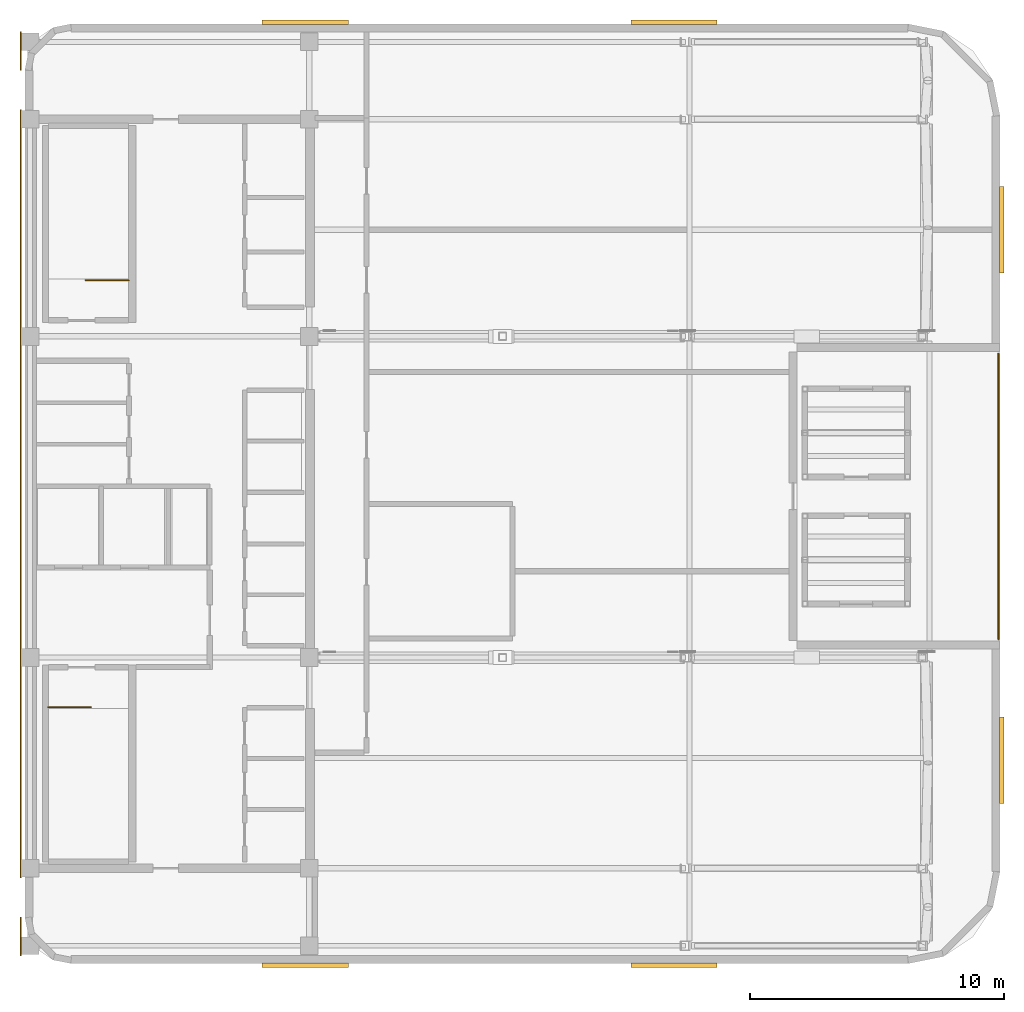
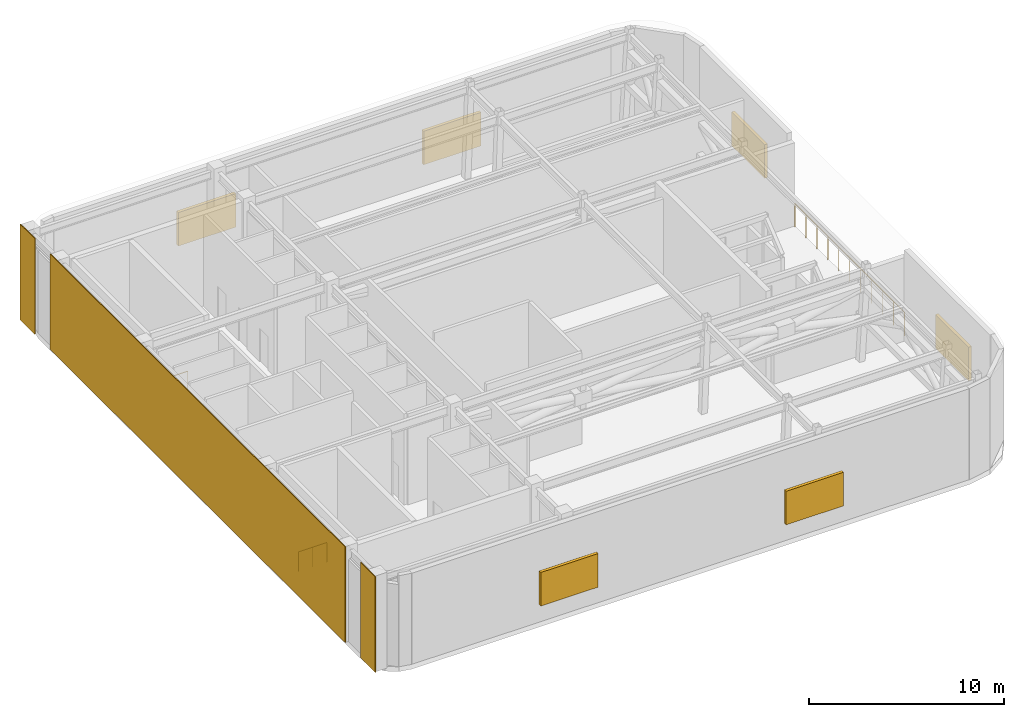
# One storey, part 12 of 12: 6 shading devices, 3 coverings, 3 railings.
"""IFC4 building model written with IfcOpenShell, lengths in metres."""

from ifc_helpers import new_model, si_unit, direction, frame, origin, origin_2d, place, context, subcontext, project, spatial, rectangle, circle, extrude, material, layer, layer_set, type_object, element, save


model = new_model("IFC4")

# Units and contexts
model_context = context("Model", 3, precision=1e-05, world=origin(), true_north=direction((0.0, 1.0)))
body_context = subcontext(model_context, "Body", "Model", "MODEL_VIEW")
ifc_project = project(units=[si_unit("LENGTHUNIT", "METRE"), si_unit("AREAUNIT", "SQUARE_METRE"), si_unit("VOLUMEUNIT", "CUBIC_METRE"), si_unit("PLANEANGLEUNIT", "RADIAN"), si_unit("MASSUNIT", "GRAM", prefix="KILO")], contexts=[model_context])

# Site, building, storey
site_placement = place(None, origin())
site = spatial("IfcSite", under=ifc_project, at=site_placement, CompositionType="ELEMENT")
building_placement = place(site_placement, origin())
building = spatial("IfcBuilding", under=site, at=building_placement, Name="Ochreholt Gables", CompositionType="ELEMENT")
storey_placement = place(building_placement, frame((0.0, 0.0, 287.0)))
storey = spatial("IfcBuildingStorey", under=building, at=storey_placement, Name="L75", CompositionType="ELEMENT", Elevation=287.0)

# Coverings
ifc_material_1 = material(Name="Glazed Ochre Terracotta Rainscreen Cladding", Category="masonry")
ifc_layer_1 = layer(ifc_material_1, 0.044921875, Name="Glazed Ochre Terracotta Rainscreen Cladding")
ifc_layer_set_1 = layer_set([ifc_layer_1], Name="Glazed Ochre Terracotta Rainscreen Cladding")
covering_type = type_object("IfcCoveringType", Name="COV-CLAD-TC", PredefinedType="CLADDING", material=ifc_layer_set_1)
covering_placement = place(storey_placement, frame((23.827880859375, 24.0, 0.010009765625), z_axis=(0.0, 0.0, 1.0), x_axis=(0.0, 1.0, 0.0)))
element("IfcCovering", 1, at=covering_placement, inside=storey, type_object=covering_type, Name="L75 West Core Terracotta Rainscreen Cladding", PredefinedType="CLADDING", context=body_context, shape_type="SweptSolid", body=[
    extrude(rectangle(XDim=30.239990234375, YDim=0.044921875, at=origin_2d()), origin(), (0.0, 0.0, 1.0), 5.97998046875),
])
for number, where, z_axis, x_axis, name in (
    (2, (23.827880859375, 6.56005859375, 0.010009765625), (0.0, 0.0, 1.0), (0.0, 1.0, 0.0), "L75 South-West Pier Terracotta Cladding"),
    (3, (23.827880859375, 41.43994140625, 0.010009765625), (0.0, 0.0, 1.0), (0.0, 1.0, 0.0), "L75 North-West Pier Terracotta Cladding"),
):
    element("IfcCovering", number, at=place(storey_placement, frame(where, z_axis=z_axis, x_axis=x_axis)), inside=storey, type_object=covering_type, Name=name, PredefinedType="CLADDING", context=body_context, shape_type="SweptSolid", body=[
        extrude(rectangle(XDim=1.52001953125, YDim=0.044921875, at=origin_2d()), origin(), (0.0, 0.0, 1.0), 5.97998046875),
    ])

# Railings
ifc_material_2 = material(Name="Painted Steel Stair Guardrail", Category="steel")
railing_type_1 = type_object("IfcRailingType", Name="RL-ST-GUARD", PredefinedType="GUARDRAIL", material=ifc_material_2)
railing_1_placement = place(storey_placement, frame((24.919921875, 15.590087890625, 0.0)))
element("IfcRailing", 4, at=railing_1_placement, inside=storey, type_object=railing_type_1, Name="L75 ST-1 top well guard 1", PredefinedType="GUARDRAIL", context=body_context, shape_type="SweptSolid", body=[
    extrude(circle(Radius=0.02392578125, at=origin_2d()), frame((0.0, 0.0, 1.22607421875), z_axis=(1.0, 0.0, 0.0), x_axis=(0.0, 1.0, 0.0)), (0.0, 0.0, 1.0), 1.68017578125),
    extrude(circle(Radius=0.02099609375, at=origin_2d()), origin(), (0.0, 0.0, 1.0), 1.201904296875),
    extrude(circle(Radius=0.02099609375, at=origin_2d()), frame((0.840087890625, 0.0, 0.0)), (0.0, 0.0, 1.0), 1.201904296875),
    extrude(circle(Radius=0.02099609375, at=origin_2d()), frame((1.68017578125, 0.0, 0.0)), (0.0, 0.0, 1.0), 1.201904296875),
])
railing_2_placement = place(storey_placement, frame((28.080078125, 32.409912109375, 0.0)))
element("IfcRailing", 5, at=railing_2_placement, inside=storey, type_object=railing_type_1, Name="L75 ST-2 top well guard 1", PredefinedType="GUARDRAIL", context=body_context, shape_type="SweptSolid", body=[
    extrude(circle(Radius=0.02392578125, at=origin_2d()), frame((0.0, 0.0, 1.22607421875), z_axis=(-1.0, 0.0, 0.0), x_axis=(0.0, -1.0, 0.0)), (0.0, 0.0, 1.0), 1.68017578125),
    extrude(circle(Radius=0.02099609375, at=origin_2d()), origin(), (0.0, 0.0, 1.0), 1.201904296875),
    extrude(circle(Radius=0.02099609375, at=origin_2d()), frame((-0.840087890625, 0.0, 0.0)), (0.0, 0.0, 1.0), 1.201904296875),
    extrude(circle(Radius=0.02099609375, at=origin_2d()), frame((-1.68017578125, 0.0, 0.0)), (0.0, 0.0, 1.0), 1.201904296875),
])
ifc_material_3 = material(Name="High-Wind Laminated Glass and Steel Guardrail", Category="steel")
railing_type_2 = type_object("IfcRailingType", Name="RL-TER-1500", PredefinedType="GUARDRAIL", material=ifc_material_3)
railing_3_placement = place(storey_placement, frame((62.340087890625, 18.280517578125, 0.0)))
element("IfcRailing", 6, at=railing_3_placement, inside=storey, type_object=railing_type_2, Name="L75 Terrace Perimeter Guardrail TR-L75-CRN", PredefinedType="GUARDRAIL", context=body_context, shape_type="SweptSolid", body=[
    extrude(circle(Radius=0.02392578125, at=origin_2d()), frame((0.0, 0.0, 1.47607421875), z_axis=(0.0, 1.0, 0.0), x_axis=(-1.0, 0.0, 0.0)), (0.0, 0.0, 1.0), 11.239013671875),
    extrude(circle(Radius=0.02099609375, at=origin_2d()), origin(), (0.0, 0.0, 1.0), 1.451904296875),
    extrude(circle(Radius=0.02099609375, at=origin_2d()), frame((0.0, 1.1240234375, 0.0)), (0.0, 0.0, 1.0), 1.451904296875),
    extrude(circle(Radius=0.02099609375, at=origin_2d()), frame((0.0, 2.247802734375, 0.0)), (0.0, 0.0, 1.0), 1.451904296875),
    extrude(circle(Radius=0.02099609375, at=origin_2d()), frame((0.0, 3.37158203125, 0.0)), (0.0, 0.0, 1.0), 1.451904296875),
    extrude(circle(Radius=0.02099609375, at=origin_2d()), frame((0.0, 4.49560546875, 0.0)), (0.0, 0.0, 1.0), 1.451904296875),
    extrude(circle(Radius=0.02099609375, at=origin_2d()), frame((0.0, 5.61962890625, 0.0)), (0.0, 0.0, 1.0), 1.451904296875),
    extrude(circle(Radius=0.02099609375, at=origin_2d()), frame((0.0, 6.743408203125, 0.0)), (0.0, 0.0, 1.0), 1.451904296875),
    extrude(circle(Radius=0.02099609375, at=origin_2d()), frame((0.0, 7.8671875, 0.0)), (0.0, 0.0, 1.0), 1.451904296875),
    extrude(circle(Radius=0.02099609375, at=origin_2d()), frame((0.0, 8.9912109375, 0.0)), (0.0, 0.0, 1.0), 1.451904296875),
    extrude(circle(Radius=0.02099609375, at=origin_2d()), frame((0.0, 10.115234375, 0.0)), (0.0, 0.0, 1.0), 1.451904296875),
    extrude(circle(Radius=0.02099609375, at=origin_2d()), frame((0.0, 11.239013671875, 0.0)), (0.0, 0.0, 1.0), 1.451904296875),
])

# Shading devices
ifc_material_4 = material(Name="Anodized Aluminium Acoustic Weather Louvre", Category="aluminium")
ifc_layer_2 = layer(ifc_material_4, 0.179931640625, Name="Anodized Aluminium Acoustic Weather Louvre")
ifc_layer_set_2 = layer_set([ifc_layer_2], Name="Anodized Aluminium Acoustic Weather Louvre")
shading_device_type = type_object("IfcShadingDeviceType", Name="SHD-LOUVRE", PredefinedType="JALOUSIE", material=ifc_layer_set_2)
for number, where, z_axis, x_axis, name in (
    (7, (35.0400390625, 5.429931640625, 1.099853515625), (0.0, 0.0, 1.0), (1.0, 0.0, 0.0), "L75 Acoustic Plant Louvre South-1"),
    (8, (49.56005859375, 5.429931640625, 1.099853515625), (0.0, 0.0, 1.0), (1.0, 0.0, 0.0), "L75 Acoustic Plant Louvre South-2"),
    (9, (62.469970703125, 13.5048828125, 1.099853515625), (0.0, 0.0, 1.0), (0.0, 1.0, 0.0), "L75 Acoustic Plant Louvre East-1"),
    (10, (62.469970703125, 34.39501953125, 1.099853515625), (0.0, 0.0, 1.0), (0.0, 1.0, 0.0), "L75 Acoustic Plant Louvre East-2"),
    (11, (49.56005859375, 42.570068359375, 1.099853515625), (0.0, 0.0, 1.0), (-1.0, 0.0, 0.0), "L75 Acoustic Plant Louvre North-1"),
    (12, (35.0400390625, 42.570068359375, 1.099853515625), (0.0, 0.0, 1.0), (-1.0, 0.0, 0.0), "L75 Acoustic Plant Louvre North-2"),
):
    element("IfcShadingDevice", number, at=place(storey_placement, frame(where, z_axis=z_axis, x_axis=x_axis)), inside=storey, type_object=shading_device_type, Name=name, PredefinedType="JALOUSIE", context=body_context, shape_type="SweptSolid", body=[
        extrude(rectangle(XDim=3.39990234375, YDim=0.179931640625, at=origin_2d()), origin(), (0.0, 0.0, 1.0), 2.10009765625),
    ])

save(model, "model.ifc")
